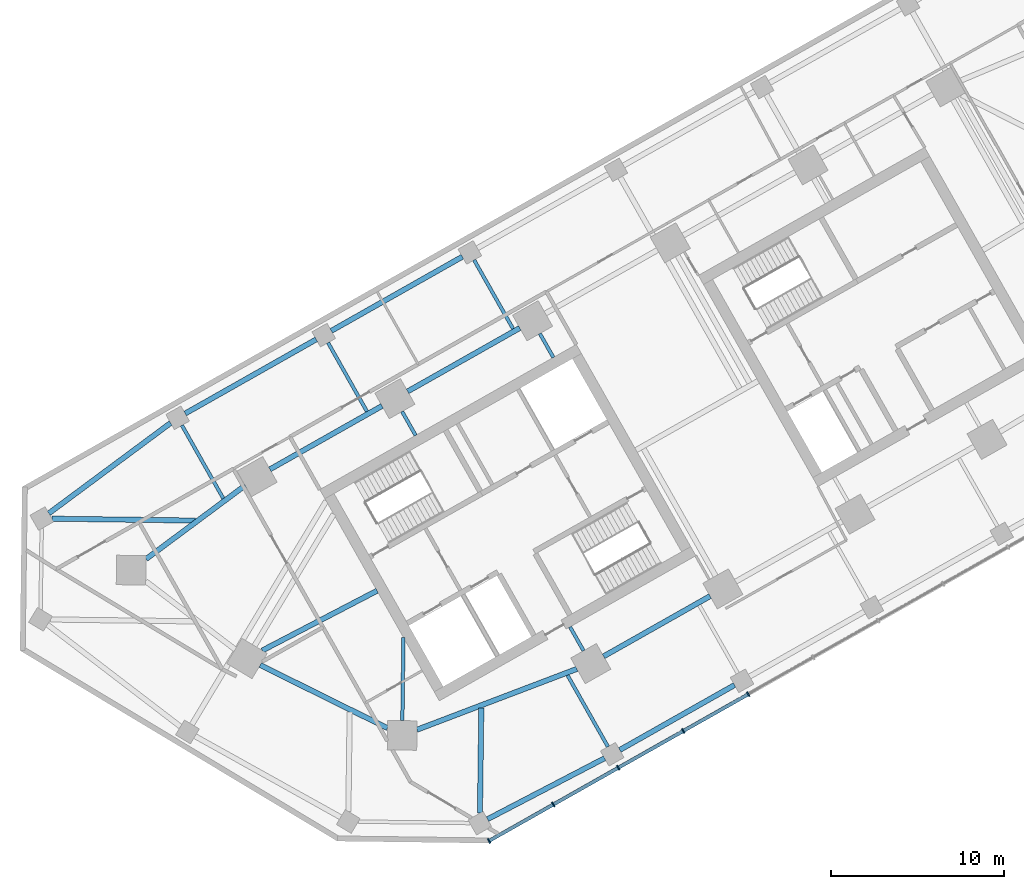
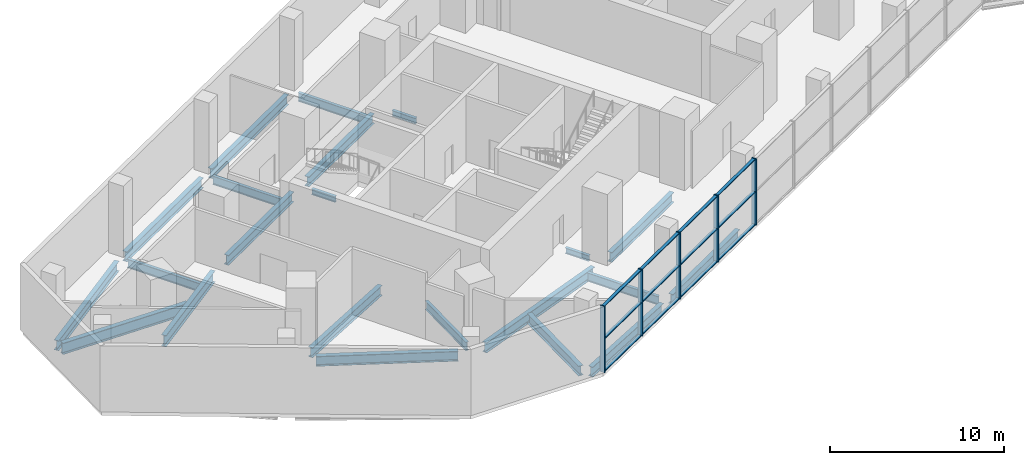
# One storey, part 2 of 18: 22 beams, 17 members, 1 element without a shape of its own.
"""IFC4 building model written with IfcOpenShell, lengths in metres."""

from ifc_helpers import new_model, si_unit, direction, frame, origin, origin_2d, place, context, subcontext, project, spatial, rectangle, i_section, extrude, material, material_profile, profile_set, type_object, element, aggregate, save


model = new_model("IFC4")

# Units and contexts
model_context = context("Model", 3, precision=1e-05, world=origin(), true_north=direction((0.0, 1.0)))
body_context = subcontext(model_context, "Body", "Model", "MODEL_VIEW")
ifc_project = project(units=[si_unit("LENGTHUNIT", "METRE"), si_unit("AREAUNIT", "SQUARE_METRE"), si_unit("VOLUMEUNIT", "CUBIC_METRE"), si_unit("PLANEANGLEUNIT", "RADIAN"), si_unit("MASSUNIT", "GRAM", prefix="KILO")], contexts=[model_context])

# Site, building, storey
site_placement = place(None, origin())
site = spatial("IfcSite", under=ifc_project, at=site_placement, CompositionType="ELEMENT")
building_placement = place(site_placement, origin())
building = spatial("IfcBuilding", under=site, at=building_placement, Name="Binnacle Exchange Tower", CompositionType="ELEMENT")
storey_placement = place(building_placement, frame((0.0, 0.0, 6.5)))
storey = spatial("IfcBuildingStorey", under=building, at=storey_placement, Name="L01", CompositionType="ELEMENT", Elevation=6.5)

# Curtain wall, members
ifc_material_1 = material(Name="Bronze anodised aluminium frame", Category="aluminium")
curtain_wall_type = type_object("IfcCurtainWallType", Name="External wall - curtain wall waterfront lobby", PredefinedType="NOTDEFINED", material=ifc_material_1)
curtain_wall_placement = place(storey_placement, origin())
curtain_wall = element("IfcCurtainWall", 1, at=curtain_wall_placement, inside=storey, type_object=curtain_wall_type, Name="External wall curtain wall CW1-P06 L01", PredefinedType="NOTDEFINED")
ifc_material_profile_1 = material_profile(ifc_material_1, rectangle(XDim=0.300048828125, YDim=0.080078125, at=origin_2d()), Name="AL 80x300")
ifc_profile_set_1 = profile_set([ifc_material_profile_1], Name="Bronze anodised aluminium frame")
member_type_1 = type_object("IfcMemberType", Name="CW1 MULLION 80x300", PredefinedType="MULLION", material=ifc_profile_set_1)
member_1_placement = place(storey_placement, frame((-36.849609375, 21.40673828125, 0.0), z_axis=(0.0, 0.0, 1.0), x_axis=(-0.492423763004, 0.870355581144, 0.0)))
member_1 = element("IfcMember", 2, at=member_1_placement, type_object=member_type_1, Name="CW1-P06 mullion 1", PredefinedType="MULLION", context=body_context, shape_type="SweptSolid", body=[
    extrude(rectangle(XDim=0.300048828125, YDim=0.080078125, at=origin_2d()), origin(), (0.0, 0.0, 1.0), 4.64990234375),
])
member_2_placement = place(storey_placement, frame((-33.136962890625, 23.50732421875, 0.0), z_axis=(0.0, 0.0, 1.0), x_axis=(-0.492423763004, 0.870355581144, 0.0)))
member_2 = element("IfcMember", 3, at=member_2_placement, type_object=member_type_1, Name="CW1-P06 mullion 2", PredefinedType="MULLION", context=body_context, shape_type="SweptSolid", body=[
    extrude(rectangle(XDim=0.300048828125, YDim=0.080078125, at=origin_2d()), origin(), (0.0, 0.0, 1.0), 4.64990234375),
])
member_3_placement = place(storey_placement, frame((-29.38916015625, 25.62744140625, 0.0), z_axis=(0.0, 0.0, 1.0), x_axis=(-0.492423763004, 0.870355581144, 0.0)))
member_3 = element("IfcMember", 4, at=member_3_placement, type_object=member_type_1, Name="CW1-P06 mullion 3", PredefinedType="MULLION", context=body_context, shape_type="SweptSolid", body=[
    extrude(rectangle(XDim=0.300048828125, YDim=0.080078125, at=origin_2d()), origin(), (0.0, 0.0, 1.0), 4.64990234375),
])
member_4_placement = place(storey_placement, frame((-25.6416015625, 27.747802734375, 0.0), z_axis=(0.0, 0.0, 1.0), x_axis=(-0.492423763004, 0.870355581144, 0.0)))
member_4 = element("IfcMember", 5, at=member_4_placement, type_object=member_type_1, Name="CW1-P06 mullion 4", PredefinedType="MULLION", context=body_context, shape_type="SweptSolid", body=[
    extrude(rectangle(XDim=0.300048828125, YDim=0.080078125, at=origin_2d()), origin(), (0.0, 0.0, 1.0), 4.64990234375),
])
member_5_placement = place(storey_placement, frame((-21.89404296875, 29.8681640625, 0.0), z_axis=(0.0, 0.0, 1.0), x_axis=(-0.492423763004, 0.870355581144, 0.0)))
member_5 = element("IfcMember", 6, at=member_5_placement, type_object=member_type_1, Name="CW1-P06 mullion 5", PredefinedType="MULLION", context=body_context, shape_type="SweptSolid", body=[
    extrude(rectangle(XDim=0.300048828125, YDim=0.080078125, at=origin_2d()), origin(), (0.0, 0.0, 1.0), 4.64990234375),
])
ifc_material_profile_2 = material_profile(ifc_material_1, rectangle(XDim=0.199951171875, YDim=0.06005859375, at=origin_2d()), Name="AL 200x60")
ifc_profile_set_2 = profile_set([ifc_material_profile_2], Name="Bronze anodised aluminium frame")
member_type_2 = type_object("IfcMemberType", Name="CW1 TRANSOM 60x200", PredefinedType="USERDEFINED", material=ifc_profile_set_2)
member_6_placement = place(storey_placement, frame((-36.81494140625, 21.42626953125, 0.030029296875), z_axis=(0.870356375062, 0.492422359757, 0.0), x_axis=(-0.492422359757, 0.870356375062, 0.0)))
member_6 = element("IfcMember", 7, at=member_6_placement, type_object=member_type_2, Name="CW1-P06 transom 1.1", ObjectType="TRANSOM", PredefinedType="USERDEFINED", context=body_context, shape_type="SweptSolid", body=[
    extrude(rectangle(XDim=0.199951171875, YDim=0.06005859375, at=origin_2d()), origin(), (0.0, 0.0, 1.0), 4.18603515625),
])
member_7_placement = place(storey_placement, frame((-36.81494140625, 21.42626953125, 2.324951171875), z_axis=(0.870356375062, 0.492422359757, 0.0), x_axis=(-0.492422359757, 0.870356375062, 0.0)))
member_7 = element("IfcMember", 8, at=member_7_placement, type_object=member_type_2, Name="CW1-P06 transom 1.2", ObjectType="TRANSOM", PredefinedType="USERDEFINED", context=body_context, shape_type="SweptSolid", body=[
    extrude(rectangle(XDim=0.199951171875, YDim=0.06005859375, at=origin_2d()), origin(), (0.0, 0.0, 1.0), 4.18603515625),
])
member_8_placement = place(storey_placement, frame((-36.81494140625, 21.42626953125, 4.6201171875), z_axis=(0.870356375062, 0.492422359757, 0.0), x_axis=(-0.492422359757, 0.870356375062, 0.0)))
member_8 = element("IfcMember", 9, at=member_8_placement, type_object=member_type_2, Name="CW1-P06 transom 1.3", ObjectType="TRANSOM", PredefinedType="USERDEFINED", context=body_context, shape_type="SweptSolid", body=[
    extrude(rectangle(XDim=0.199951171875, YDim=0.06005859375, at=origin_2d()), origin(), (0.0, 0.0, 1.0), 4.18603515625),
])
member_9_placement = place(storey_placement, frame((-33.10205078125, 23.52685546875, 0.030029296875), z_axis=(0.870340019855, 0.492451266461, 0.0), x_axis=(-0.492451266461, 0.870340019855, 0.0)))
member_9 = element("IfcMember", 10, at=member_9_placement, type_object=member_type_2, Name="CW1-P06 transom 2.1", ObjectType="TRANSOM", PredefinedType="USERDEFINED", context=body_context, shape_type="SweptSolid", body=[
    extrude(rectangle(XDim=0.199951171875, YDim=0.06005859375, at=origin_2d()), origin(), (0.0, 0.0, 1.0), 4.225830078125),
])
member_10_placement = place(storey_placement, frame((-33.10205078125, 23.52685546875, 2.324951171875), z_axis=(0.870340019855, 0.492451266461, 0.0), x_axis=(-0.492451266461, 0.870340019855, 0.0)))
member_10 = element("IfcMember", 11, at=member_10_placement, type_object=member_type_2, Name="CW1-P06 transom 2.2", ObjectType="TRANSOM", PredefinedType="USERDEFINED", context=body_context, shape_type="SweptSolid", body=[
    extrude(rectangle(XDim=0.199951171875, YDim=0.06005859375, at=origin_2d()), origin(), (0.0, 0.0, 1.0), 4.225830078125),
])
member_11_placement = place(storey_placement, frame((-33.10205078125, 23.52685546875, 4.6201171875), z_axis=(0.870340019855, 0.492451266461, 0.0), x_axis=(-0.492451266461, 0.870340019855, 0.0)))
member_11 = element("IfcMember", 12, at=member_11_placement, type_object=member_type_2, Name="CW1-P06 transom 2.3", ObjectType="TRANSOM", PredefinedType="USERDEFINED", context=body_context, shape_type="SweptSolid", body=[
    extrude(rectangle(XDim=0.199951171875, YDim=0.06005859375, at=origin_2d()), origin(), (0.0, 0.0, 1.0), 4.225830078125),
])
member_12_placement = place(storey_placement, frame((-29.3544921875, 25.647216796875, 0.030029296875), z_axis=(0.870364780678, 0.492407502537, 0.0), x_axis=(-0.492407502537, 0.870364780678, 0.0)))
member_12 = element("IfcMember", 13, at=member_12_placement, type_object=member_type_2, Name="CW1-P06 transom 3.1", ObjectType="TRANSOM", PredefinedType="USERDEFINED", context=body_context, shape_type="SweptSolid", body=[
    extrude(rectangle(XDim=0.199951171875, YDim=0.06005859375, at=origin_2d()), origin(), (0.0, 0.0, 1.0), 4.225830078125),
])
member_13_placement = place(storey_placement, frame((-29.3544921875, 25.647216796875, 2.324951171875), z_axis=(0.870364780678, 0.492407502537, 0.0), x_axis=(-0.492407502537, 0.870364780678, 0.0)))
member_13 = element("IfcMember", 14, at=member_13_placement, type_object=member_type_2, Name="CW1-P06 transom 3.2", ObjectType="TRANSOM", PredefinedType="USERDEFINED", context=body_context, shape_type="SweptSolid", body=[
    extrude(rectangle(XDim=0.199951171875, YDim=0.06005859375, at=origin_2d()), origin(), (0.0, 0.0, 1.0), 4.225830078125),
])
member_14_placement = place(storey_placement, frame((-29.3544921875, 25.647216796875, 4.6201171875), z_axis=(0.870364780678, 0.492407502537, 0.0), x_axis=(-0.492407502537, 0.870364780678, 0.0)))
member_14 = element("IfcMember", 15, at=member_14_placement, type_object=member_type_2, Name="CW1-P06 transom 3.3", ObjectType="TRANSOM", PredefinedType="USERDEFINED", context=body_context, shape_type="SweptSolid", body=[
    extrude(rectangle(XDim=0.199951171875, YDim=0.06005859375, at=origin_2d()), origin(), (0.0, 0.0, 1.0), 4.225830078125),
])
member_15_placement = place(storey_placement, frame((-25.60693359375, 27.767578125, 0.030029296875), z_axis=(0.870364780678, 0.492407502537, 0.0), x_axis=(-0.492407502537, 0.870364780678, 0.0)))
member_15 = element("IfcMember", 16, at=member_15_placement, type_object=member_type_2, Name="CW1-P06 transom 4.1", ObjectType="TRANSOM", PredefinedType="USERDEFINED", context=body_context, shape_type="SweptSolid", body=[
    extrude(rectangle(XDim=0.199951171875, YDim=0.06005859375, at=origin_2d()), origin(), (0.0, 0.0, 1.0), 4.225830078125),
])
member_16_placement = place(storey_placement, frame((-25.60693359375, 27.767578125, 2.324951171875), z_axis=(0.870364780678, 0.492407502537, 0.0), x_axis=(-0.492407502537, 0.870364780678, 0.0)))
member_16 = element("IfcMember", 17, at=member_16_placement, type_object=member_type_2, Name="CW1-P06 transom 4.2", ObjectType="TRANSOM", PredefinedType="USERDEFINED", context=body_context, shape_type="SweptSolid", body=[
    extrude(rectangle(XDim=0.199951171875, YDim=0.06005859375, at=origin_2d()), origin(), (0.0, 0.0, 1.0), 4.225830078125),
])
member_17_placement = place(storey_placement, frame((-25.60693359375, 27.767578125, 4.6201171875), z_axis=(0.870364780678, 0.492407502537, 0.0), x_axis=(-0.492407502537, 0.870364780678, 0.0)))
member_17 = element("IfcMember", 18, at=member_17_placement, type_object=member_type_2, Name="CW1-P06 transom 4.3", ObjectType="TRANSOM", PredefinedType="USERDEFINED", context=body_context, shape_type="SweptSolid", body=[
    extrude(rectangle(XDim=0.199951171875, YDim=0.06005859375, at=origin_2d()), origin(), (0.0, 0.0, 1.0), 4.225830078125),
])
aggregate(curtain_wall, [member_1, member_2, member_3, member_4, member_5, member_6, member_7, member_8, member_9, member_10, member_11, member_12, member_13, member_14, member_15, member_16, member_17])

# Beams
ifc_material_2 = material(Name="Steel S355 (SHN355)", Category="steel")
ifc_material_profile_3 = material_profile(ifc_material_2, i_section(OverallWidth=0.300048828125, OverallDepth=0.699951171875, WebThickness=0.012939453125, FlangeThickness=0.02392578125, FilletRadius=0.028076171875, at=origin_2d()), Name="H 700x300x13x24")
ifc_profile_set_3 = profile_set([ifc_material_profile_3], Name="Steel S355 (SHN355)")
beam_type_1 = type_object("IfcBeamType", Name="Edge girder H 700x300x13x24 Steel S355 (SHN355)", PredefinedType="SPANDREL", material=ifc_profile_set_3)
beam_1_placement = place(storey_placement, frame((-62.2421875, 40.302978515625, -0.699951171875), z_axis=(0.803179419827, 0.5957372068, 0.0), x_axis=(-0.5957372068, 0.803179419827, 0.0)))
element("IfcBeam", 19, at=beam_1_placement, inside=storey, type_object=beam_type_1, Name="S:BM:edge:L01:015", PredefinedType="SPANDREL", context=body_context, shape_type="SweptSolid", body=[
    extrude(i_section(OverallWidth=0.300048828125, OverallDepth=0.699951171875, WebThickness=0.012939453125, FlangeThickness=0.02392578125, FilletRadius=0.028076171875, at=origin_2d()), origin(), (0.0, 0.0, 1.0), 8.750244140625),
])
beam_2_placement = place(storey_placement, frame((-54.374267578125, 46.06201171875, -0.699951171875), z_axis=(0.870345980185, 0.492440732247, 0.0), x_axis=(-0.492440732247, 0.870345980185, 0.0)))
element("IfcBeam", 20, at=beam_2_placement, inside=storey, type_object=beam_type_1, Name="S:BM:edge:L01:018", PredefinedType="SPANDREL", context=body_context, shape_type="SweptSolid", body=[
    extrude(i_section(OverallWidth=0.300048828125, OverallDepth=0.699951171875, WebThickness=0.012939453125, FlangeThickness=0.02392578125, FilletRadius=0.028076171875, at=origin_2d()), origin(), (0.0, 0.0, 1.0), 8.68408203125),
])
beam_3_placement = place(storey_placement, frame((-50.0478515625, 31.55224609375, -0.699951171875), z_axis=(0.896059216286, -0.443934545749, 0.0), x_axis=(0.443934545749, 0.896059216286, 0.0)))
element("IfcBeam", 21, at=beam_3_placement, inside=storey, type_object=beam_type_1, Name="S:BM:edge:L01:020", PredefinedType="SPANDREL", context=body_context, shape_type="SweptSolid", body=[
    extrude(i_section(OverallWidth=0.300048828125, OverallDepth=0.699951171875, WebThickness=0.012939453125, FlangeThickness=0.02392578125, FilletRadius=0.028076171875, at=origin_2d()), origin(), (0.0, 0.0, 1.0), 8.197509765625),
])
beam_4_placement = place(storey_placement, frame((-45.94580078125, 50.830810546875, -0.699951171875), z_axis=(0.870370078582, 0.492398138003, 0.0), x_axis=(-0.492398138003, 0.870370078582, 0.0)))
element("IfcBeam", 22, at=beam_4_placement, inside=storey, type_object=beam_type_1, Name="S:BM:edge:L01:021", PredefinedType="SPANDREL", context=body_context, shape_type="SweptSolid", body=[
    extrude(i_section(OverallWidth=0.300048828125, OverallDepth=0.699951171875, WebThickness=0.012939453125, FlangeThickness=0.02392578125, FilletRadius=0.028076171875, at=origin_2d()), origin(), (0.0, 0.0, 1.0), 8.683837890625),
])
beam_5_placement = place(storey_placement, frame((-43.019775390625, 46.5, -0.699951171875), z_axis=(-0.870364477798, -0.492408037898, 0.0), x_axis=(0.492408037898, -0.870364477798, 0.0)))
element("IfcBeam", 23, at=beam_5_placement, inside=storey, type_object=beam_type_1, Name="S:BM:edge:L01:023", PredefinedType="SPANDREL", context=body_context, shape_type="SweptSolid", body=[
    extrude(i_section(OverallWidth=0.300048828125, OverallDepth=0.699951171875, WebThickness=0.012939453125, FlangeThickness=0.02392578125, FilletRadius=0.028076171875, at=origin_2d()), origin(), (0.0, 0.0, 1.0), 7.4296875),
])
beam_6_placement = place(storey_placement, frame((-35.073486328125, 50.995849609375, -0.699951171875), z_axis=(-0.870372444894, -0.492393955253, 0.0), x_axis=(0.492393955253, -0.870372444894, 0.0)))
element("IfcBeam", 24, at=beam_6_placement, inside=storey, type_object=beam_type_1, Name="S:BM:edge:L01:027", PredefinedType="SPANDREL", context=body_context, shape_type="SweptSolid", body=[
    extrude(i_section(OverallWidth=0.300048828125, OverallDepth=0.699951171875, WebThickness=0.012939453125, FlangeThickness=0.02392578125, FilletRadius=0.028076171875, at=origin_2d()), origin(), (0.0, 0.0, 1.0), 7.429931640625),
])
beam_7_placement = place(storey_placement, frame((-30.23583984375, 32.053955078125, -0.699951171875), z_axis=(0.870373276953, 0.492392484473, 0.0), x_axis=(-0.492392484473, 0.870373276953, 0.0)))
element("IfcBeam", 25, at=beam_7_placement, inside=storey, type_object=beam_type_1, Name="S:BM:edge:L01:028", PredefinedType="SPANDREL", context=body_context, shape_type="SweptSolid", body=[
    extrude(i_section(OverallWidth=0.300048828125, OverallDepth=0.699951171875, WebThickness=0.012939453125, FlangeThickness=0.02392578125, FilletRadius=0.028076171875, at=origin_2d()), origin(), (0.0, 0.0, 1.0), 7.0546875),
])
beam_8_placement = place(storey_placement, frame((-30.184326171875, 26.17431640625, -0.699951171875), z_axis=(-0.88697979282, -0.461808236315, 0.0), x_axis=(0.461808236315, -0.88697979282, 0.0)))
element("IfcBeam", 26, at=beam_8_placement, inside=storey, type_object=beam_type_1, Name="S:BM:edge:L01:029", PredefinedType="SPANDREL", context=body_context, shape_type="SweptSolid", body=[
    extrude(i_section(OverallWidth=0.300048828125, OverallDepth=0.699951171875, WebThickness=0.012939453125, FlangeThickness=0.02392578125, FilletRadius=0.028076171875, at=origin_2d()), origin(), (0.0, 0.0, 1.0), 7.610107421875),
])
beam_9_placement = place(storey_placement, frame((-22.68603515625, 30.396728515625, -0.699951171875), z_axis=(-0.870352907673, -0.492428488316, 0.0), x_axis=(0.492428488316, -0.870352907673, 0.0)))
element("IfcBeam", 27, at=beam_9_placement, inside=storey, type_object=beam_type_1, Name="S:BM:edge:L01:032", PredefinedType="SPANDREL", context=body_context, shape_type="SweptSolid", body=[
    extrude(i_section(OverallWidth=0.300048828125, OverallDepth=0.699951171875, WebThickness=0.012939453125, FlangeThickness=0.02392578125, FilletRadius=0.028076171875, at=origin_2d()), origin(), (0.0, 0.0, 1.0), 7.60546875),
])
ifc_material_profile_4 = material_profile(ifc_material_2, i_section(OverallWidth=0.302001953125, OverallDepth=0.7080078125, WebThickness=0.014892578125, FlangeThickness=0.028076171875, FilletRadius=0.028076171875, at=origin_2d()), Name="H 708x302x15x28")
ifc_profile_set_4 = profile_set([ifc_material_profile_4], Name="Steel S355 (SHN355)")
beam_type_2 = type_object("IfcBeamType", Name="Edge girder H 708x302x15x28 Steel S355 (SHN355)", PredefinedType="SPANDREL", material=ifc_profile_set_4)
beam_10_placement = place(storey_placement, frame((-41.00341796875, 27.81982421875, -0.7041015625), z_axis=(0.934628738252, 0.355624973297, 0.0), x_axis=(-0.355624973297, 0.934628738252, 0.0)))
element("IfcBeam", 28, at=beam_10_placement, inside=storey, type_object=beam_type_2, Name="S:BM:edge:L01:024", PredefinedType="SPANDREL", context=body_context, shape_type="SweptSolid", body=[
    extrude(i_section(OverallWidth=0.302001953125, OverallDepth=0.7080078125, WebThickness=0.014892578125, FlangeThickness=0.028076171875, FilletRadius=0.028076171875, at=origin_2d()), origin(), (0.0, 0.0, 1.0), 9.869384765625),
])
ifc_material_profile_5 = material_profile(ifc_material_2, i_section(OverallWidth=0.300048828125, OverallDepth=0.800048828125, WebThickness=0.013916015625, FlangeThickness=0.02587890625, FilletRadius=0.028076171875, at=origin_2d()), Name="H 800x300x14x26")
ifc_profile_set_5 = profile_set([ifc_material_profile_5], Name="Steel S355 (SHN355)")
beam_type_3 = type_object("IfcBeamType", Name="Edge girder H 800x300x14x26 Steel S355 (SHN355)", PredefinedType="SPANDREL", material=ifc_profile_set_5)
beam_11_placement = place(storey_placement, frame((-50.913818359375, 41.912353515625, -0.75), z_axis=(-0.80288535334, -0.59613346609, 0.0), x_axis=(0.59613346609, -0.80288535334, 0.0)))
element("IfcBeam", 29, at=beam_11_placement, inside=storey, type_object=beam_type_3, Name="S:BM:edge:L01:019", PredefinedType="SPANDREL", context=body_context, shape_type="SweptSolid", body=[
    extrude(i_section(OverallWidth=0.300048828125, OverallDepth=0.800048828125, WebThickness=0.013916015625, FlangeThickness=0.02587890625, FilletRadius=0.028076171875, at=origin_2d()), origin(), (0.0, 0.0, 1.0), 7.125244140625),
])
ifc_material_profile_6 = material_profile(ifc_material_2, i_section(OverallWidth=0.199951171875, OverallDepth=0.39990234375, WebThickness=0.008056640625, FlangeThickness=0.012939453125, FilletRadius=0.01611328125, at=origin_2d()), Name="H 400x200x8x13")
ifc_profile_set_6 = profile_set([ifc_material_profile_6], Name="Steel S355 (SHN355)")
beam_type_4 = type_object("IfcBeamType", Name="Floor beam H 400x200x8x13 Steel S355 (SHN355)", PredefinedType="BEAM", material=ifc_profile_set_6)
beam_12_placement = place(storey_placement, frame((-41.861328125, 46.178955078125, -0.550048828125), z_axis=(0.492366981934, -0.870387703901, 0.0), x_axis=(0.870387703901, 0.492366981934, 0.0)))
element("IfcBeam", 30, at=beam_12_placement, inside=storey, type_object=beam_type_4, Name="S:BM:cross:L01:083", PredefinedType="BEAM", context=body_context, shape_type="SweptSolid", body=[
    extrude(i_section(OverallWidth=0.199951171875, OverallDepth=0.39990234375, WebThickness=0.008056640625, FlangeThickness=0.012939453125, FilletRadius=0.01611328125, at=origin_2d()), origin(), (0.0, 0.0, 1.0), 1.584228515625),
])
beam_13_placement = place(storey_placement, frame((-33.915283203125, 50.674560546875, -0.550048828125), z_axis=(0.492483715062, -0.870321659158, 0.0), x_axis=(0.870321659158, 0.492483715062, 0.0)))
element("IfcBeam", 31, at=beam_13_placement, inside=storey, type_object=beam_type_4, Name="S:BM:cross:L01:087", PredefinedType="BEAM", context=body_context, shape_type="SweptSolid", body=[
    extrude(i_section(OverallWidth=0.199951171875, OverallDepth=0.39990234375, WebThickness=0.008056640625, FlangeThickness=0.012939453125, FilletRadius=0.01611328125, at=origin_2d()), origin(), (0.0, 0.0, 1.0), 1.58447265625),
])
beam_14_placement = place(storey_placement, frame((-31.394287109375, 32.375, -0.550048828125), z_axis=(-0.492366981934, 0.870387703901, 0.0), x_axis=(-0.870387703901, -0.492366981934, 0.0)))
element("IfcBeam", 32, at=beam_14_placement, inside=storey, type_object=beam_type_4, Name="S:BM:cross:L01:088", PredefinedType="BEAM", context=body_context, shape_type="SweptSolid", body=[
    extrude(i_section(OverallWidth=0.199951171875, OverallDepth=0.39990234375, WebThickness=0.008056640625, FlangeThickness=0.012939453125, FilletRadius=0.01611328125, at=origin_2d()), origin(), (0.0, 0.0, 1.0), 1.584228515625),
])
ifc_material_profile_7 = material_profile(ifc_material_2, i_section(OverallWidth=0.199951171875, OverallDepth=0.60009765625, WebThickness=0.010986328125, FlangeThickness=0.01708984375, FilletRadius=0.02197265625, at=origin_2d()), Name="H 600x200x11x17")
ifc_profile_set_7 = profile_set([ifc_material_profile_7], Name="Steel S355 (SHN355)")
beam_type_5 = type_object("IfcBeamType", Name="Floor beam H 600x200x11x17 Steel S355 (SHN355)", PredefinedType="BEAM", material=ifc_profile_set_7)
beam_15_placement = place(storey_placement, frame((-46.134765625, 50.1494140625, -0.64990234375), z_axis=(0.492392410291, -0.87037331892, 0.0), x_axis=(0.87037331892, 0.492392410291, 0.0)))
element("IfcBeam", 33, at=beam_15_placement, inside=storey, type_object=beam_type_5, Name="S:BM:cross:L01:081", PredefinedType="BEAM", context=body_context, shape_type="SweptSolid", body=[
    extrude(i_section(OverallWidth=0.199951171875, OverallDepth=0.60009765625, WebThickness=0.010986328125, FlangeThickness=0.01708984375, FilletRadius=0.02197265625, at=origin_2d()), origin(), (0.0, 0.0, 1.0), 4.56005859375),
])
beam_16_placement = place(storey_placement, frame((-37.706298828125, 54.917724609375, -0.64990234375), z_axis=(0.492415355874, -0.870360337619, 0.0), x_axis=(0.870360337619, 0.492415355874, 0.0)))
element("IfcBeam", 34, at=beam_16_placement, inside=storey, type_object=beam_type_5, Name="S:BM:cross:L01:085", PredefinedType="BEAM", context=body_context, shape_type="SweptSolid", body=[
    extrude(i_section(OverallWidth=0.199951171875, OverallDepth=0.60009765625, WebThickness=0.010986328125, FlangeThickness=0.01708984375, FilletRadius=0.02197265625, at=origin_2d()), origin(), (0.0, 0.0, 1.0), 4.559814453125),
])
beam_17_placement = place(storey_placement, frame((-29.98681640625, 26.840576171875, -0.64990234375), z_axis=(-0.492417108435, 0.870359346087, 0.0), x_axis=(-0.870359346087, -0.492417108435, 0.0)))
element("IfcBeam", 35, at=beam_17_placement, inside=storey, type_object=beam_type_5, Name="S:BM:cross:L01:089", PredefinedType="BEAM", context=body_context, shape_type="SweptSolid", body=[
    extrude(i_section(OverallWidth=0.199951171875, OverallDepth=0.60009765625, WebThickness=0.010986328125, FlangeThickness=0.01708984375, FilletRadius=0.02197265625, at=origin_2d()), origin(), (0.0, 0.0, 1.0), 4.73876953125),
])
ifc_material_profile_8 = material_profile(ifc_material_2, i_section(OverallWidth=0.200927734375, OverallDepth=0.60595703125, WebThickness=0.011962890625, FlangeThickness=0.02001953125, FilletRadius=0.02197265625, at=origin_2d()), Name="H 606x201x12x20")
ifc_profile_set_8 = profile_set([ifc_material_profile_8], Name="Steel S355 (SHN355)")
beam_type_6 = type_object("IfcBeamType", Name="Floor beam H 606x201x12x20 Steel S355 (SHN355)", PredefinedType="BEAM", material=ifc_profile_set_8)
beam_18_placement = place(storey_placement, frame((-54.563232421875, 45.380615234375, -0.653076171875), z_axis=(0.492430552239, -0.870351739943, 0.0), x_axis=(0.870351739943, 0.492430552239, 0.0)))
element("IfcBeam", 36, at=beam_18_placement, inside=storey, type_object=beam_type_6, Name="S:BM:cross:L01:078", PredefinedType="BEAM", context=body_context, shape_type="SweptSolid", body=[
    extrude(i_section(OverallWidth=0.200927734375, OverallDepth=0.60595703125, WebThickness=0.011962890625, FlangeThickness=0.02001953125, FilletRadius=0.02197265625, at=origin_2d()), origin(), (0.0, 0.0, 1.0), 4.848388671875),
])
beam_19_placement = place(storey_placement, frame((-41.8466796875, 28.3447265625, -0.653076171875), z_axis=(0.013120628196, 0.999913920853, 0.0), x_axis=(-0.999913920853, 0.013120628196, 0.0)))
element("IfcBeam", 37, at=beam_19_placement, inside=storey, type_object=beam_type_6, Name="S:BM:cross:L01:084", PredefinedType="BEAM", context=body_context, shape_type="SweptSolid", body=[
    extrude(i_section(OverallWidth=0.200927734375, OverallDepth=0.60595703125, WebThickness=0.011962890625, FlangeThickness=0.02001953125, FilletRadius=0.02197265625, at=origin_2d()), origin(), (0.0, 0.0, 1.0), 4.80078125),
])
ifc_material_profile_9 = material_profile(ifc_material_2, i_section(OverallWidth=0.300048828125, OverallDepth=0.699951171875, WebThickness=0.012939453125, FlangeThickness=0.02392578125, FilletRadius=0.028076171875, at=origin_2d()), Name="H 700x300x13x24")
ifc_profile_set_9 = profile_set([ifc_material_profile_9], Name="Steel S355 (SHN355)")
beam_type_7 = type_object("IfcBeamType", Name="Floor beam H 700x300x13x24 Steel S355 (SHN355)", PredefinedType="BEAM", material=ifc_profile_set_9)
beam_20_placement = place(storey_placement, frame((-37.37060546875, 23.0078125, -0.699951171875), z_axis=(0.013099663551, 0.999914195726, 0.0), x_axis=(-0.999914195726, 0.013099663551, 0.0)))
element("IfcBeam", 38, at=beam_20_placement, inside=storey, type_object=beam_type_7, Name="S:BM:cross:L01:086", PredefinedType="BEAM", context=body_context, shape_type="SweptSolid", body=[
    extrude(i_section(OverallWidth=0.300048828125, OverallDepth=0.699951171875, WebThickness=0.012939453125, FlangeThickness=0.02392578125, FilletRadius=0.028076171875, at=origin_2d()), origin(), (0.0, 0.0, 1.0), 6.07568359375),
])
ifc_material_profile_10 = material_profile(ifc_material_2, i_section(OverallWidth=0.300048828125, OverallDepth=0.800048828125, WebThickness=0.013916015625, FlangeThickness=0.02587890625, FilletRadius=0.028076171875, at=origin_2d()), Name="H 800x300x14x26")
ifc_profile_set_10 = profile_set([ifc_material_profile_10], Name="Steel S355 (SHN355)")
beam_type_8 = type_object("IfcBeamType", Name="Floor beam H 800x300x14x26 Steel S355 (SHN355)", PredefinedType="BEAM", material=ifc_profile_set_10)
beam_21_placement = place(storey_placement, frame((-62.068115234375, 39.995361328125, -0.75), z_axis=(0.999914190197, -0.013100085584, 0.0), x_axis=(0.013100085584, 0.999914190197, 0.0)))
element("IfcBeam", 39, at=beam_21_placement, inside=storey, type_object=beam_type_8, Name="S:BM:cross:L01:077", PredefinedType="BEAM", context=body_context, shape_type="SweptSolid", body=[
    extrude(i_section(OverallWidth=0.300048828125, OverallDepth=0.800048828125, WebThickness=0.013916015625, FlangeThickness=0.02587890625, FilletRadius=0.028076171875, at=origin_2d()), origin(), (0.0, 0.0, 1.0), 8.274658203125),
])
ifc_material_profile_11 = material_profile(ifc_material_2, i_section(OverallWidth=0.300048828125, OverallDepth=0.699951171875, WebThickness=0.012939453125, FlangeThickness=0.02392578125, FilletRadius=0.028076171875, at=origin_2d()), Name="H 700x300x13x24")
ifc_profile_set_11 = profile_set([ifc_material_profile_11], Name="Steel S355 (SHN355)")
beam_type_9 = type_object("IfcBeamType", Name="Spine girder H 700x300x13x24 Steel S355 (SHN355)", PredefinedType="BEAM", material=ifc_profile_set_11)
beam_22_placement = place(storey_placement, frame((-49.927734375, 32.391357421875, -0.699951171875), z_axis=(0.886979965344, 0.461807904954, 0.0), x_axis=(-0.461807904954, 0.886979965344, 0.0)))
element("IfcBeam", 40, at=beam_22_placement, inside=storey, type_object=beam_type_9, Name="S:BM:spine:L01:001", PredefinedType="BEAM", context=body_context, shape_type="SweptSolid", body=[
    extrude(i_section(OverallWidth=0.300048828125, OverallDepth=0.699951171875, WebThickness=0.012939453125, FlangeThickness=0.02392578125, FilletRadius=0.028076171875, at=origin_2d()), origin(), (0.0, 0.0, 1.0), 7.463623046875),
])

save(model, "model.ifc")
